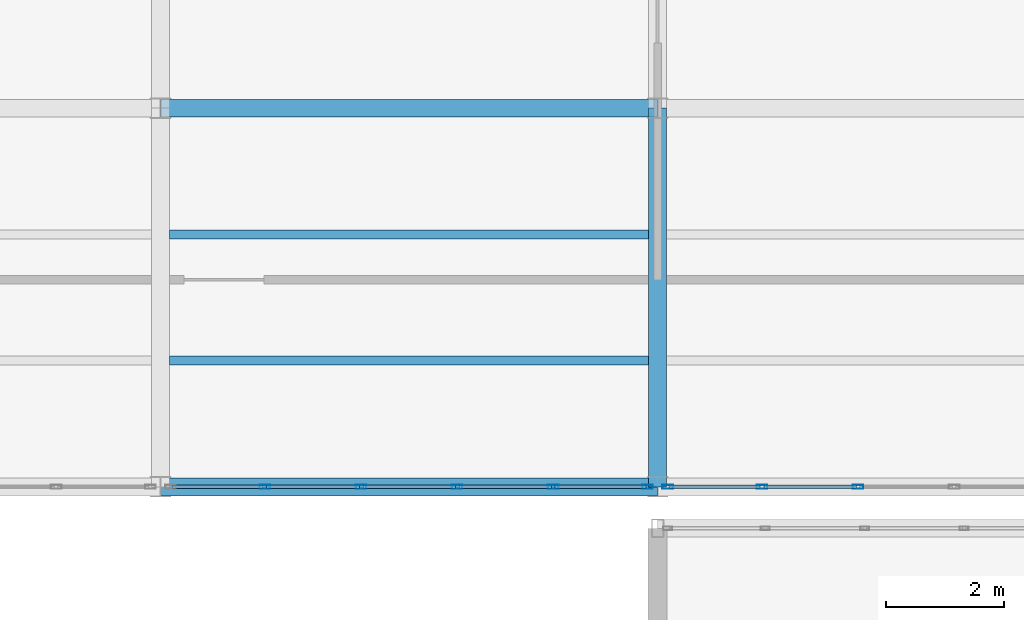
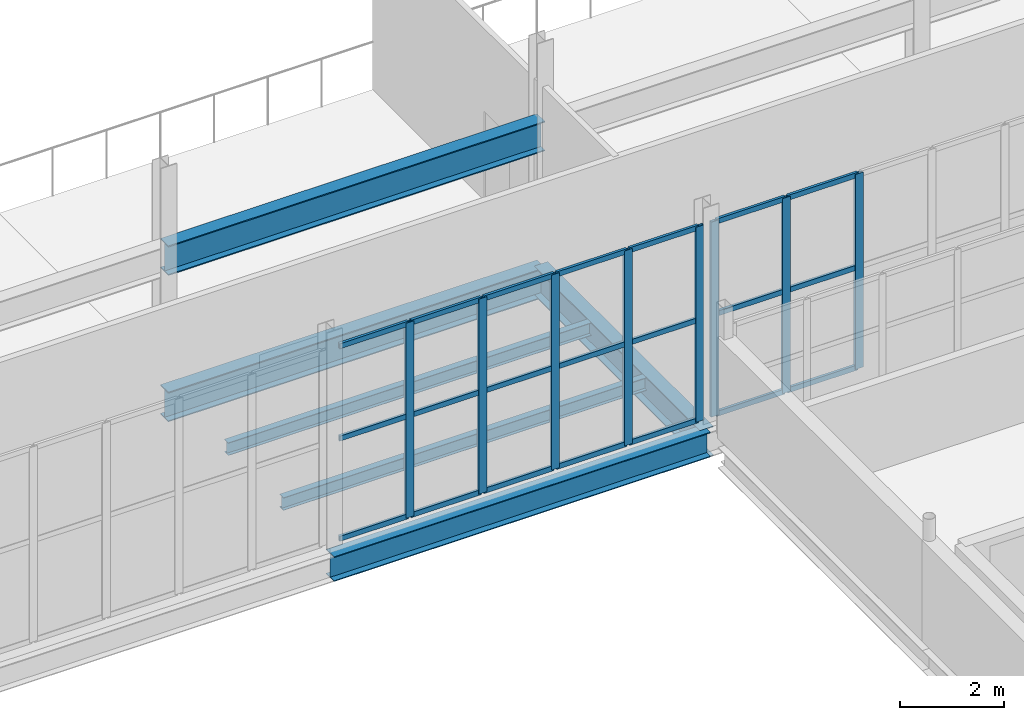
# One storey, part 72 of 218: 29 members, 6 beams, 2 elements without a shape of their own.
"""IFC4 building model written with IfcOpenShell, lengths in metres."""

import ifcopenshell
import ifcopenshell.guid

model = None  # the IFC model being written
_history = None  # IfcOwnerHistory: only IFC2X3 demands one
_inside = {}  # id of a spatial element -> (the spatial element, [elements in it])
_under = {}  # id of a project, library or spatial element -> (it, [spatial elements below it])
_declared = {}  # id of a project -> (the project, [libraries it declares])
_typed = {}  # id of a type object -> (the type object, [elements of that type])
_made_of = {}  # id of a material, layer set ... -> (it, [elements and type objects made of it])


def new_model(schema):
    """Start an empty IFC model of exactly this schema.

    Asked for "IFC4X3", IfcOpenShell would pick the latest addendum, in which some entities
    have other attributes; the version numbers below select the first issue.
    IFC2X3 requires an IfcOwnerHistory on every rooted entity: one is made here for all.
    """
    global model, _history
    if schema == "IFC4X3":
        model = ifcopenshell.file(schema_version=(4, 3, 0, 0))
    else:
        model = ifcopenshell.file(schema=schema)
    _inside.clear()
    _under.clear()
    _declared.clear()
    _typed.clear()
    _made_of.clear()
    _history = None
    if model.schema == "IFC2X3":
        org = make("IfcOrganization", Name="unknown")
        user = make(
            "IfcPersonAndOrganization",
            ThePerson=make("IfcPerson", FamilyName="unknown"),
            TheOrganization=org,
        )
        app = make(
            "IfcApplication",
            ApplicationDeveloper=org,
            Version="unknown",
            ApplicationFullName="unknown",
            ApplicationIdentifier="unknown",
        )
        _history = make(
            "IfcOwnerHistory",
            OwningUser=user,
            OwningApplication=app,
            ChangeAction="ADDED",
            CreationDate=0,
        )
    return model


def make(cls, **values):
    """One entity of the class cls with the attributes given. An attribute that is None is left unset."""
    return model.create_entity(
        cls, **{name: value for name, value in values.items() if value is not None}
    )


def rooted(cls, **values):
    """An entity with a GlobalId (a new one), such as an element, a storey or a relation."""
    return make(cls, GlobalId=ifcopenshell.guid.new(), OwnerHistory=_history, **values)


def si_unit(unit_type, name, prefix=None):
    """IfcSIUnit, for example si_unit("LENGTHUNIT", "METRE", prefix="MILLI")."""
    return make("IfcSIUnit", UnitType=unit_type, Prefix=prefix, Name=name)


def assignment(units):
    """IfcUnitAssignment: the units of a project."""
    return None if units is None else make("IfcUnitAssignment", Units=units)


def point(xyz):
    """IfcCartesianPoint."""
    return None if xyz is None else make("IfcCartesianPoint", Coordinates=xyz)


def direction(xyz):
    """IfcDirection."""
    return None if xyz is None else make("IfcDirection", DirectionRatios=xyz)


def frame(location, z_axis=None, x_axis=None):
    """IfcAxis2Placement3D, a coordinate frame: its origin and axes. An axis left out is left unset."""
    return make(
        "IfcAxis2Placement3D",
        Location=point(location),
        Axis=direction(z_axis),
        RefDirection=direction(x_axis),
    )


def frame_2d(location, x_axis=None):
    """IfcAxis2Placement2D, a coordinate frame in the plane: its origin and x axis."""
    return make(
        "IfcAxis2Placement2D", Location=point(location), RefDirection=direction(x_axis)
    )


def origin():
    """The frame at (0, 0, 0) with its axes left unset."""
    return frame((0.0, 0.0, 0.0))


def origin_2d():
    """The frame at (0, 0) in the plane with its x axis left unset."""
    return frame_2d((0.0, 0.0))


def place(relative_to, where):
    """IfcLocalPlacement: puts the frame where relative to a parent placement (None: the world)."""
    return make(
        "IfcLocalPlacement", PlacementRelTo=relative_to, RelativePlacement=where
    )


def context(
    kind, dimensions, precision=None, world=None, true_north=None, identifier=None
):
    """IfcGeometricRepresentationContext, for example the 3D "Model" context."""
    return make(
        "IfcGeometricRepresentationContext",
        ContextIdentifier=identifier,
        ContextType=kind,
        CoordinateSpaceDimension=dimensions,
        Precision=precision,
        WorldCoordinateSystem=world,
        TrueNorth=true_north,
    )


def subcontext(parent, identifier, kind, view, scale=None):
    """IfcGeometricRepresentationSubContext, for example "Body" below "Model"."""
    return make(
        "IfcGeometricRepresentationSubContext",
        ContextIdentifier=identifier,
        ContextType=kind,
        ParentContext=parent,
        TargetScale=scale,
        TargetView=view,
    )


def project(units=None, contexts=None):
    """IfcProject with its units and contexts."""
    return rooted(
        "IfcProject",
        Name="project",
        RepresentationContexts=contexts,
        UnitsInContext=assignment(units),
    )


def spatial(cls, under=None, at=None, **own):
    """A site, building, storey or space (cls), placed at a placement, below another one or the project."""
    s = rooted(cls, ObjectPlacement=at, **own)
    if under is not None:
        _under.setdefault(under.id(), (under, []))[1].append(s)
    return s


def profile(cls, at=None, kind="AREA", **sizes):
    """A parametric profile (cls). Its sizes go by their IFC names, for example OverallWidth=200.0."""
    return make(cls, ProfileType=kind, Position=at, **sizes)


def hollow_rectangle(**sizes):
    """IfcRectangleHollowProfileDef."""
    return profile("IfcRectangleHollowProfileDef", **sizes)


def i_section(**sizes):
    """IfcIShapeProfileDef."""
    return profile("IfcIShapeProfileDef", **sizes)


def extrude(swept, where, along, depth):
    """IfcExtrudedAreaSolid: the profile swept, set in the frame where, extruded along a direction by depth."""
    return make(
        "IfcExtrudedAreaSolid",
        SweptArea=swept,
        Position=where,
        ExtrudedDirection=direction(along),
        Depth=depth,
    )


def shape(context_of_items, identifier, shape_type, items):
    """IfcShapeRepresentation: the items that make up one representation, for example the "Body"."""
    return make(
        "IfcShapeRepresentation",
        ContextOfItems=context_of_items,
        RepresentationIdentifier=identifier,
        RepresentationType=shape_type,
        Items=items,
    )


def material(Name=None, Category=None):
    """IfcMaterial."""
    return make("IfcMaterial", Name=Name, Category=Category)


def material_profile(
    of_material, cross_section, Name=None, Category=None, Priority=None
):
    """IfcMaterialProfile: a cross section and its material."""
    return make(
        "IfcMaterialProfile",
        Name=Name,
        Material=of_material,
        Profile=cross_section,
        Priority=Priority,
        Category=Category,
    )


def profile_set(profiles, Name=None, composite=None):
    """IfcMaterialProfileSet."""
    return make(
        "IfcMaterialProfileSet",
        Name=Name,
        MaterialProfiles=profiles,
        CompositeProfile=composite,
    )


def made_of(thing, what):
    """Note that an element or type object is made of a material, layer set ...; save() writes the relation."""
    if what is not None:
        _made_of.setdefault(what.id(), (what, []))[1].append(thing)
    return thing


def type_object(cls, material=None, **own):
    """A type object (cls), such as IfcWallType, which elements share."""
    return made_of(rooted(cls, **own), material)


def element(
    cls,
    number,
    at=None,
    inside=None,
    cuts=None,
    type_object=None,
    material=None,
    context=None,
    identifier="Body",
    shape_type=None,
    held_by="IfcProductDefinitionShape",
    body=None,
    shapes=None,
    **own,
):
    """One element of the class cls, such as IfcWall. Its Tag is "e" and its number.

    at: its placement. inside: the storey or other place that contains it. cuts: it is an
    opening in that element (IfcRelVoidsElement). A single representation is given by context,
    identifier, shape_type and body (its items); several are given by shapes. held_by: the class
    of the entity that holds the representations. save() writes the other relations.
    """
    e = rooted(cls, Tag="e%d" % number, ObjectPlacement=at, **own)
    if body is not None:
        shapes = [shape(context, identifier, shape_type, body)]
    if shapes is not None:
        e.Representation = make(held_by, Representations=shapes)
    if inside is not None:
        _inside.setdefault(inside.id(), (inside, []))[1].append(e)
    if cuts is not None:
        rooted(
            "IfcRelVoidsElement", RelatingBuildingElement=cuts, RelatedOpeningElement=e
        )
    if type_object is not None:
        _typed.setdefault(type_object.id(), (type_object, []))[1].append(e)
    return made_of(e, material)


def aggregate(whole, parts):
    """IfcRelAggregates: a whole, such as a stair, and the parts it consists of."""
    return rooted("IfcRelAggregates", RelatingObject=whole, RelatedObjects=parts)


def save(model, path):
    """Write the relations noted so far, then the file.

    IfcRelAggregates (storeys below a building ...), IfcRelContainedInSpatialStructure (elements
    in a storey), IfcRelDefinesByType, IfcRelAssociatesMaterial and IfcRelDeclares: one each for
    every whole, place, type object, material and project.
    """
    for whole, parts in _under.values():
        aggregate(whole, parts)
    for where, things in _inside.values():
        rooted(
            "IfcRelContainedInSpatialStructure",
            RelatedElements=things,
            RelatingStructure=where,
        )
    for kind, things in _typed.values():
        rooted("IfcRelDefinesByType", RelatedObjects=things, RelatingType=kind)
    for what, things in _made_of.values():
        rooted("IfcRelAssociatesMaterial", RelatedObjects=things, RelatingMaterial=what)
    for by, libraries in _declared.values():
        rooted("IfcRelDeclares", RelatingContext=by, RelatedDefinitions=libraries)
    model.write(path)


model = new_model("IFC4")

# Units and contexts
model_context = context("Model", 3, precision=1e-05, world=origin(), true_north=direction((0.0, 1.0)))
body_context = subcontext(model_context, "Body", "Model", "MODEL_VIEW")
ifc_project = project(units=[si_unit("LENGTHUNIT", "METRE"), si_unit("AREAUNIT", "SQUARE_METRE"), si_unit("VOLUMEUNIT", "CUBIC_METRE"), si_unit("PLANEANGLEUNIT", "RADIAN"), si_unit("MASSUNIT", "GRAM", prefix="KILO")], contexts=[model_context])

# Site, building, storey
site_placement = place(None, origin())
site = spatial("IfcSite", under=ifc_project, at=site_placement, CompositionType="ELEMENT")
building_placement = place(site_placement, origin())
building = spatial("IfcBuilding", under=site, at=building_placement, Name="Kazenagashi Tramway Depot", CompositionType="ELEMENT")
storey_placement = place(building_placement, frame((0.0, 0.0, 6.0)))
storey = spatial("IfcBuildingStorey", under=building, at=storey_placement, Name="L02", CompositionType="ELEMENT", Elevation=6.0)

# Beams
ifc_material_1 = material(Name="Steel SN490B", Category="steel")
ifc_material_profile_1 = material_profile(ifc_material_1, i_section(OverallWidth=0.3, OverallDepth=0.7, WebThickness=0.013, FlangeThickness=0.024, at=origin_2d()), Name="H-700x300x13x24")
ifc_profile_set_1 = profile_set([ifc_material_profile_1], Name="Steel SN490B")
beam_type_1 = type_object("IfcBeamType", Name="G-02", PredefinedType="BEAM", material=ifc_profile_set_1)
beam_1_placement = place(storey_placement, frame((95.2, 22.9, -0.6), z_axis=(1.0, 0.0, 0.0), x_axis=(0.0, 1.0, 0.0)))
element("IfcBeam", 1, at=beam_1_placement, inside=storey, type_object=beam_type_1, Name="Beam G-02 BM-1012", PredefinedType="BEAM", context=body_context, shape_type="SweptSolid", body=[
    extrude(i_section(OverallWidth=0.3, OverallDepth=0.7, WebThickness=0.013, FlangeThickness=0.024, at=origin_2d()), origin(), (0.0, 0.0, 1.0), 8.4),
])
beam_2_placement = place(storey_placement, frame((103.6, 16.5, -0.6), z_axis=(0.0, 1.0, 0.0), x_axis=(-1.0, 0.0, 0.0)))
element("IfcBeam", 2, at=beam_2_placement, inside=storey, type_object=beam_type_1, Name="Beam G-02 BM-1071", PredefinedType="BEAM", context=body_context, shape_type="SweptSolid", body=[
    extrude(i_section(OverallWidth=0.3, OverallDepth=0.7, WebThickness=0.013, FlangeThickness=0.024, at=origin_2d()), origin(), (0.0, 0.0, 1.0), 6.4),
])
beam_3_placement = place(storey_placement, frame((95.2, 22.9, 2.85), z_axis=(1.0, 0.0, 0.0), x_axis=(0.0, 1.0, 0.0)))
element("IfcBeam", 3, at=beam_3_placement, inside=storey, type_object=beam_type_1, Name="Beam G-02 BM-1155", PredefinedType="BEAM", context=body_context, shape_type="SweptSolid", body=[
    extrude(i_section(OverallWidth=0.3, OverallDepth=0.7, WebThickness=0.013, FlangeThickness=0.024, at=origin_2d()), origin(), (0.0, 0.0, 1.0), 8.4),
])
ifc_material_2 = material(Name="Steel SN400B", Category="steel")
ifc_material_profile_2 = material_profile(ifc_material_2, i_section(OverallWidth=0.15, OverallDepth=0.3, WebThickness=0.0065, FlangeThickness=0.009, at=origin_2d()), Name="H-300x150x6.5x9")
ifc_profile_set_2 = profile_set([ifc_material_profile_2], Name="Steel SN400B")
beam_type_2 = type_object("IfcBeamType", Name="J-02", PredefinedType="JOIST", material=ifc_profile_set_2)
for number, where, z_axis, x_axis, name in (
    (4, (95.35, 18.633, -0.4), (1.0, 0.0, 0.0), (0.0, 1.0, 0.0), "Beam J-02 BM-1066"),
    (5, (95.35, 20.767, -0.4), (1.0, 0.0, 0.0), (0.0, 1.0, 0.0), "Beam J-02 BM-1067"),
):
    element("IfcBeam", number, at=place(storey_placement, frame(where, z_axis=z_axis, x_axis=x_axis)), inside=storey, type_object=beam_type_2, Name=name, PredefinedType="JOIST", context=body_context, shape_type="SweptSolid", body=[
        extrude(i_section(OverallWidth=0.15, OverallDepth=0.3, WebThickness=0.0065, FlangeThickness=0.009, at=origin_2d()), origin(), (0.0, 0.0, 1.0), 8.1),
    ])

# Curtain wall, members
ifc_material_3 = material(Name="Anodised Aluminium and Low-E Glazing", Category="aluminium")
curtain_wall_type = type_object("IfcCurtainWallType", Name="CW-20", PredefinedType="USERDEFINED", material=ifc_material_3)
curtain_wall_1_placement = place(storey_placement, origin())
curtain_wall_1 = element("IfcCurtainWall", 6, at=curtain_wall_1_placement, inside=storey, type_object=curtain_wall_type, Name="Industrial Glazed Screen CW-20 CW-0101", ObjectType="GLAZED SCREEN", PredefinedType="USERDEFINED")
ifc_material_4 = material(Name="Anodised Aluminium", Category="aluminium")
ifc_material_profile_3 = material_profile(ifc_material_4, hollow_rectangle(XDim=0.07, YDim=0.18, WallThickness=0.005, at=origin_2d()), Name="RHS-180x70x5")
ifc_profile_set_3 = profile_set([ifc_material_profile_3], Name="Anodised Aluminium")
member_type_1 = type_object("IfcMemberType", Name="ML-02", PredefinedType="MULLION", material=ifc_profile_set_3)
member_1_placement = place(storey_placement, frame((96.964, 16.5, 0.0), z_axis=(0.0, 0.0, 1.0), x_axis=(0.0, 1.0, 0.0)))
member_1 = element("IfcMember", 7, at=member_1_placement, type_object=member_type_1, Name="CW-20 mullion 2", PredefinedType="MULLION", context=body_context, shape_type="SweptSolid", body=[
    extrude(hollow_rectangle(XDim=0.07, YDim=0.18, WallThickness=0.005, at=origin_2d()), origin(), (0.0, 0.0, 1.0), 4.6),
])
member_2_placement = place(storey_placement, frame((98.588, 16.5, 0.0), z_axis=(0.0, 0.0, 1.0), x_axis=(0.0, 1.0, 0.0)))
member_2 = element("IfcMember", 8, at=member_2_placement, type_object=member_type_1, Name="CW-20 mullion 3", PredefinedType="MULLION", context=body_context, shape_type="SweptSolid", body=[
    extrude(hollow_rectangle(XDim=0.07, YDim=0.18, WallThickness=0.005, at=origin_2d()), origin(), (0.0, 0.0, 1.0), 4.6),
])
member_3_placement = place(storey_placement, frame((100.212, 16.5, 0.0), z_axis=(0.0, 0.0, 1.0), x_axis=(0.0, 1.0, 0.0)))
member_3 = element("IfcMember", 9, at=member_3_placement, type_object=member_type_1, Name="CW-20 mullion 4", PredefinedType="MULLION", context=body_context, shape_type="SweptSolid", body=[
    extrude(hollow_rectangle(XDim=0.07, YDim=0.18, WallThickness=0.005, at=origin_2d()), origin(), (0.0, 0.0, 1.0), 4.6),
])
member_4_placement = place(storey_placement, frame((101.836, 16.5, 0.0), z_axis=(0.0, 0.0, 1.0), x_axis=(0.0, 1.0, 0.0)))
member_4 = element("IfcMember", 10, at=member_4_placement, type_object=member_type_1, Name="CW-20 mullion 5", PredefinedType="MULLION", context=body_context, shape_type="SweptSolid", body=[
    extrude(hollow_rectangle(XDim=0.07, YDim=0.18, WallThickness=0.005, at=origin_2d()), origin(), (0.0, 0.0, 1.0), 4.6),
])
member_5_placement = place(storey_placement, frame((103.43, 16.5, 0.0), z_axis=(0.0, 0.0, 1.0), x_axis=(0.0, 1.0, 0.0)))
member_5 = element("IfcMember", 11, at=member_5_placement, type_object=member_type_1, Name="CW-20 mullion 6", PredefinedType="MULLION", context=body_context, shape_type="SweptSolid", body=[
    extrude(hollow_rectangle(XDim=0.07, YDim=0.18, WallThickness=0.005, at=origin_2d()), origin(), (0.0, 0.0, 1.0), 4.6),
])

curtain_wall_2_placement = place(storey_placement, origin())
curtain_wall_2 = element("IfcCurtainWall", 12, at=curtain_wall_2_placement, inside=storey, type_object=curtain_wall_type, Name="Industrial Glazed Screen CW-20 CW-0102", ObjectType="GLAZED SCREEN", PredefinedType="USERDEFINED")
member_6_placement = place(storey_placement, frame((103.77, 16.5, 0.0), z_axis=(0.0, 0.0, 1.0), x_axis=(0.0, 1.0, 0.0)))
member_6 = element("IfcMember", 13, at=member_6_placement, type_object=member_type_1, Name="CW-20 mullion 1", PredefinedType="MULLION", context=body_context, shape_type="SweptSolid", body=[
    extrude(hollow_rectangle(XDim=0.07, YDim=0.18, WallThickness=0.005, at=origin_2d()), origin(), (0.0, 0.0, 1.0), 4.6),
])
member_7_placement = place(storey_placement, frame((105.364, 16.5, 0.0), z_axis=(0.0, 0.0, 1.0), x_axis=(0.0, 1.0, 0.0)))
member_7 = element("IfcMember", 14, at=member_7_placement, type_object=member_type_1, Name="CW-20 mullion 2", PredefinedType="MULLION", context=body_context, shape_type="SweptSolid", body=[
    extrude(hollow_rectangle(XDim=0.07, YDim=0.18, WallThickness=0.005, at=origin_2d()), origin(), (0.0, 0.0, 1.0), 4.6),
])
member_8_placement = place(storey_placement, frame((106.988, 16.5, 0.0), z_axis=(0.0, 0.0, 1.0), x_axis=(0.0, 1.0, 0.0)))
member_8 = element("IfcMember", 15, at=member_8_placement, type_object=member_type_1, Name="CW-20 mullion 3", PredefinedType="MULLION", context=body_context, shape_type="SweptSolid", body=[
    extrude(hollow_rectangle(XDim=0.07, YDim=0.18, WallThickness=0.005, at=origin_2d()), origin(), (0.0, 0.0, 1.0), 4.6),
])

# Beam
ifc_material_profile_4 = material_profile(ifc_material_1, i_section(OverallWidth=0.3, OverallDepth=0.588, WebThickness=0.012, FlangeThickness=0.02, at=origin_2d()), Name="H-588x300x12x20")
ifc_profile_set_4 = profile_set([ifc_material_profile_4], Name="Steel SN490B")
beam_type_3 = type_object("IfcBeamType", Name="SP-01", PredefinedType="SPANDREL", material=ifc_profile_set_4)
beam_4_placement = place(storey_placement, frame((95.2, 16.5, -0.544), z_axis=(1.0, 0.0, 0.0), x_axis=(0.0, 1.0, 0.0)))
element("IfcBeam", 16, at=beam_4_placement, inside=storey, type_object=beam_type_3, Name="Beam SP-01 BM-1000", PredefinedType="SPANDREL", context=body_context, shape_type="SweptSolid", body=[
    extrude(i_section(OverallWidth=0.3, OverallDepth=0.588, WebThickness=0.012, FlangeThickness=0.02, at=origin_2d()), origin(), (0.0, 0.0, 1.0), 8.4),
])

# Member
ifc_material_profile_5 = material_profile(ifc_material_4, hollow_rectangle(XDim=0.06, YDim=0.12, WallThickness=0.004, at=origin_2d()), Name="RHS-120x60x4")
ifc_profile_set_5 = profile_set([ifc_material_profile_5], Name="Anodised Aluminium")
member_type_2 = type_object("IfcMemberType", Name="TR-01", PredefinedType="USERDEFINED", material=ifc_profile_set_5)
member_9_placement = place(storey_placement, frame((95.4, 16.5, 0.03), z_axis=(1.0, 0.0, 0.0), x_axis=(0.0, 1.0, 0.0)))
member_9 = element("IfcMember", 17, at=member_9_placement, type_object=member_type_2, Name="CW-20 transom 1.1", ObjectType="TRANSOM", PredefinedType="USERDEFINED", context=body_context, shape_type="SweptSolid", body=[
    extrude(hollow_rectangle(XDim=0.06, YDim=0.12, WallThickness=0.004, at=origin_2d()), origin(), (0.0, 0.0, 1.0), 1.534),
])

member_10_placement = place(storey_placement, frame((95.4, 16.5, 2.392), z_axis=(1.0, 0.0, 0.0), x_axis=(0.0, 1.0, 0.0)))
member_10 = element("IfcMember", 18, at=member_10_placement, type_object=member_type_2, Name="CW-20 transom 1.2", ObjectType="TRANSOM", PredefinedType="USERDEFINED", context=body_context, shape_type="SweptSolid", body=[
    extrude(hollow_rectangle(XDim=0.06, YDim=0.12, WallThickness=0.004, at=origin_2d()), origin(), (0.0, 0.0, 1.0), 1.534),
])

member_11_placement = place(storey_placement, frame((95.4, 16.5, 4.57), z_axis=(1.0, 0.0, 0.0), x_axis=(0.0, 1.0, 0.0)))
member_11 = element("IfcMember", 19, at=member_11_placement, type_object=member_type_2, Name="CW-20 transom 1.3", ObjectType="TRANSOM", PredefinedType="USERDEFINED", context=body_context, shape_type="SweptSolid", body=[
    extrude(hollow_rectangle(XDim=0.06, YDim=0.12, WallThickness=0.004, at=origin_2d()), origin(), (0.0, 0.0, 1.0), 1.534),
])

member_12_placement = place(storey_placement, frame((96.994, 16.5, 0.03), z_axis=(1.0, 0.0, 0.0), x_axis=(0.0, 1.0, 0.0)))
member_12 = element("IfcMember", 20, at=member_12_placement, type_object=member_type_2, Name="CW-20 transom 2.1", ObjectType="TRANSOM", PredefinedType="USERDEFINED", context=body_context, shape_type="SweptSolid", body=[
    extrude(hollow_rectangle(XDim=0.06, YDim=0.12, WallThickness=0.004, at=origin_2d()), origin(), (0.0, 0.0, 1.0), 1.564),
])

member_13_placement = place(storey_placement, frame((96.994, 16.5, 2.392), z_axis=(1.0, 0.0, 0.0), x_axis=(0.0, 1.0, 0.0)))
member_13 = element("IfcMember", 21, at=member_13_placement, type_object=member_type_2, Name="CW-20 transom 2.2", ObjectType="TRANSOM", PredefinedType="USERDEFINED", context=body_context, shape_type="SweptSolid", body=[
    extrude(hollow_rectangle(XDim=0.06, YDim=0.12, WallThickness=0.004, at=origin_2d()), origin(), (0.0, 0.0, 1.0), 1.564),
])

member_14_placement = place(storey_placement, frame((96.994, 16.5, 4.57), z_axis=(1.0, 0.0, 0.0), x_axis=(0.0, 1.0, 0.0)))
member_14 = element("IfcMember", 22, at=member_14_placement, type_object=member_type_2, Name="CW-20 transom 2.3", ObjectType="TRANSOM", PredefinedType="USERDEFINED", context=body_context, shape_type="SweptSolid", body=[
    extrude(hollow_rectangle(XDim=0.06, YDim=0.12, WallThickness=0.004, at=origin_2d()), origin(), (0.0, 0.0, 1.0), 1.564),
])

member_15_placement = place(storey_placement, frame((98.618, 16.5, 0.03), z_axis=(1.0, 0.0, 0.0), x_axis=(0.0, 1.0, 0.0)))
member_15 = element("IfcMember", 23, at=member_15_placement, type_object=member_type_2, Name="CW-20 transom 3.1", ObjectType="TRANSOM", PredefinedType="USERDEFINED", context=body_context, shape_type="SweptSolid", body=[
    extrude(hollow_rectangle(XDim=0.06, YDim=0.12, WallThickness=0.004, at=origin_2d()), origin(), (0.0, 0.0, 1.0), 1.564),
])

member_16_placement = place(storey_placement, frame((98.618, 16.5, 2.392), z_axis=(1.0, 0.0, 0.0), x_axis=(0.0, 1.0, 0.0)))
member_16 = element("IfcMember", 24, at=member_16_placement, type_object=member_type_2, Name="CW-20 transom 3.2", ObjectType="TRANSOM", PredefinedType="USERDEFINED", context=body_context, shape_type="SweptSolid", body=[
    extrude(hollow_rectangle(XDim=0.06, YDim=0.12, WallThickness=0.004, at=origin_2d()), origin(), (0.0, 0.0, 1.0), 1.564),
])

member_17_placement = place(storey_placement, frame((98.618, 16.5, 4.57), z_axis=(1.0, 0.0, 0.0), x_axis=(0.0, 1.0, 0.0)))
member_17 = element("IfcMember", 25, at=member_17_placement, type_object=member_type_2, Name="CW-20 transom 3.3", ObjectType="TRANSOM", PredefinedType="USERDEFINED", context=body_context, shape_type="SweptSolid", body=[
    extrude(hollow_rectangle(XDim=0.06, YDim=0.12, WallThickness=0.004, at=origin_2d()), origin(), (0.0, 0.0, 1.0), 1.564),
])

member_18_placement = place(storey_placement, frame((100.242, 16.5, 0.03), z_axis=(1.0, 0.0, 0.0), x_axis=(0.0, 1.0, 0.0)))
member_18 = element("IfcMember", 26, at=member_18_placement, type_object=member_type_2, Name="CW-20 transom 4.1", ObjectType="TRANSOM", PredefinedType="USERDEFINED", context=body_context, shape_type="SweptSolid", body=[
    extrude(hollow_rectangle(XDim=0.06, YDim=0.12, WallThickness=0.004, at=origin_2d()), origin(), (0.0, 0.0, 1.0), 1.564),
])

member_19_placement = place(storey_placement, frame((100.242, 16.5, 2.392), z_axis=(1.0, 0.0, 0.0), x_axis=(0.0, 1.0, 0.0)))
member_19 = element("IfcMember", 27, at=member_19_placement, type_object=member_type_2, Name="CW-20 transom 4.2", ObjectType="TRANSOM", PredefinedType="USERDEFINED", context=body_context, shape_type="SweptSolid", body=[
    extrude(hollow_rectangle(XDim=0.06, YDim=0.12, WallThickness=0.004, at=origin_2d()), origin(), (0.0, 0.0, 1.0), 1.564),
])

member_20_placement = place(storey_placement, frame((100.242, 16.5, 4.57), z_axis=(1.0, 0.0, 0.0), x_axis=(0.0, 1.0, 0.0)))
member_20 = element("IfcMember", 28, at=member_20_placement, type_object=member_type_2, Name="CW-20 transom 4.3", ObjectType="TRANSOM", PredefinedType="USERDEFINED", context=body_context, shape_type="SweptSolid", body=[
    extrude(hollow_rectangle(XDim=0.06, YDim=0.12, WallThickness=0.004, at=origin_2d()), origin(), (0.0, 0.0, 1.0), 1.564),
])

member_21_placement = place(storey_placement, frame((101.866, 16.5, 0.03), z_axis=(1.0, 0.0, 0.0), x_axis=(0.0, 1.0, 0.0)))
member_21 = element("IfcMember", 29, at=member_21_placement, type_object=member_type_2, Name="CW-20 transom 5.1", ObjectType="TRANSOM", PredefinedType="USERDEFINED", context=body_context, shape_type="SweptSolid", body=[
    extrude(hollow_rectangle(XDim=0.06, YDim=0.12, WallThickness=0.004, at=origin_2d()), origin(), (0.0, 0.0, 1.0), 1.534),
])

member_22_placement = place(storey_placement, frame((101.866, 16.5, 2.392), z_axis=(1.0, 0.0, 0.0), x_axis=(0.0, 1.0, 0.0)))
member_22 = element("IfcMember", 30, at=member_22_placement, type_object=member_type_2, Name="CW-20 transom 5.2", ObjectType="TRANSOM", PredefinedType="USERDEFINED", context=body_context, shape_type="SweptSolid", body=[
    extrude(hollow_rectangle(XDim=0.06, YDim=0.12, WallThickness=0.004, at=origin_2d()), origin(), (0.0, 0.0, 1.0), 1.534),
])

member_23_placement = place(storey_placement, frame((101.866, 16.5, 4.57), z_axis=(1.0, 0.0, 0.0), x_axis=(0.0, 1.0, 0.0)))
member_23 = element("IfcMember", 31, at=member_23_placement, type_object=member_type_2, Name="CW-20 transom 5.3", ObjectType="TRANSOM", PredefinedType="USERDEFINED", context=body_context, shape_type="SweptSolid", body=[
    extrude(hollow_rectangle(XDim=0.06, YDim=0.12, WallThickness=0.004, at=origin_2d()), origin(), (0.0, 0.0, 1.0), 1.534),
])

aggregate(curtain_wall_1, [member_1, member_2, member_3, member_4, member_5, member_9, member_10, member_11, member_12, member_13, member_14, member_15, member_16, member_17, member_18, member_19, member_20, member_21, member_22, member_23])

member_24_placement = place(storey_placement, frame((103.8, 16.5, 0.03), z_axis=(1.0, 0.0, 0.0), x_axis=(0.0, 1.0, 0.0)))
member_24 = element("IfcMember", 32, at=member_24_placement, type_object=member_type_2, Name="CW-20 transom 1.1", ObjectType="TRANSOM", PredefinedType="USERDEFINED", context=body_context, shape_type="SweptSolid", body=[
    extrude(hollow_rectangle(XDim=0.06, YDim=0.12, WallThickness=0.004, at=origin_2d()), origin(), (0.0, 0.0, 1.0), 1.534),
])

member_25_placement = place(storey_placement, frame((103.8, 16.5, 2.392), z_axis=(1.0, 0.0, 0.0), x_axis=(0.0, 1.0, 0.0)))
member_25 = element("IfcMember", 33, at=member_25_placement, type_object=member_type_2, Name="CW-20 transom 1.2", ObjectType="TRANSOM", PredefinedType="USERDEFINED", context=body_context, shape_type="SweptSolid", body=[
    extrude(hollow_rectangle(XDim=0.06, YDim=0.12, WallThickness=0.004, at=origin_2d()), origin(), (0.0, 0.0, 1.0), 1.534),
])

member_26_placement = place(storey_placement, frame((103.8, 16.5, 4.57), z_axis=(1.0, 0.0, 0.0), x_axis=(0.0, 1.0, 0.0)))
member_26 = element("IfcMember", 34, at=member_26_placement, type_object=member_type_2, Name="CW-20 transom 1.3", ObjectType="TRANSOM", PredefinedType="USERDEFINED", context=body_context, shape_type="SweptSolid", body=[
    extrude(hollow_rectangle(XDim=0.06, YDim=0.12, WallThickness=0.004, at=origin_2d()), origin(), (0.0, 0.0, 1.0), 1.534),
])

member_27_placement = place(storey_placement, frame((105.394, 16.5, 0.03), z_axis=(1.0, 0.0, 0.0), x_axis=(0.0, 1.0, 0.0)))
member_27 = element("IfcMember", 35, at=member_27_placement, type_object=member_type_2, Name="CW-20 transom 2.1", ObjectType="TRANSOM", PredefinedType="USERDEFINED", context=body_context, shape_type="SweptSolid", body=[
    extrude(hollow_rectangle(XDim=0.06, YDim=0.12, WallThickness=0.004, at=origin_2d()), origin(), (0.0, 0.0, 1.0), 1.564),
])

member_28_placement = place(storey_placement, frame((105.394, 16.5, 2.392), z_axis=(1.0, 0.0, 0.0), x_axis=(0.0, 1.0, 0.0)))
member_28 = element("IfcMember", 36, at=member_28_placement, type_object=member_type_2, Name="CW-20 transom 2.2", ObjectType="TRANSOM", PredefinedType="USERDEFINED", context=body_context, shape_type="SweptSolid", body=[
    extrude(hollow_rectangle(XDim=0.06, YDim=0.12, WallThickness=0.004, at=origin_2d()), origin(), (0.0, 0.0, 1.0), 1.564),
])

member_29_placement = place(storey_placement, frame((105.394, 16.5, 4.57), z_axis=(1.0, 0.0, 0.0), x_axis=(0.0, 1.0, 0.0)))
member_29 = element("IfcMember", 37, at=member_29_placement, type_object=member_type_2, Name="CW-20 transom 2.3", ObjectType="TRANSOM", PredefinedType="USERDEFINED", context=body_context, shape_type="SweptSolid", body=[
    extrude(hollow_rectangle(XDim=0.06, YDim=0.12, WallThickness=0.004, at=origin_2d()), origin(), (0.0, 0.0, 1.0), 1.564),
])

aggregate(curtain_wall_2, [member_6, member_7, member_8, member_24, member_25, member_26, member_27, member_28, member_29])

save(model, "model.ifc")
